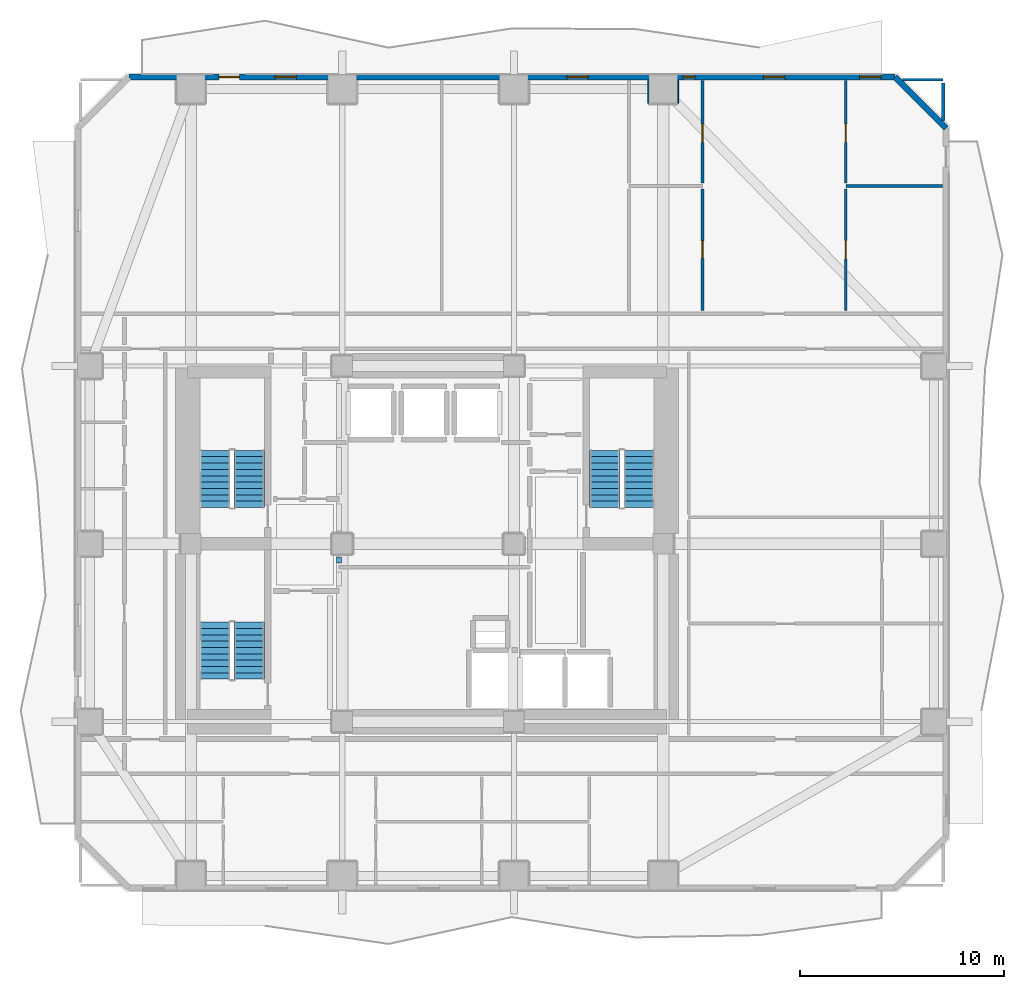
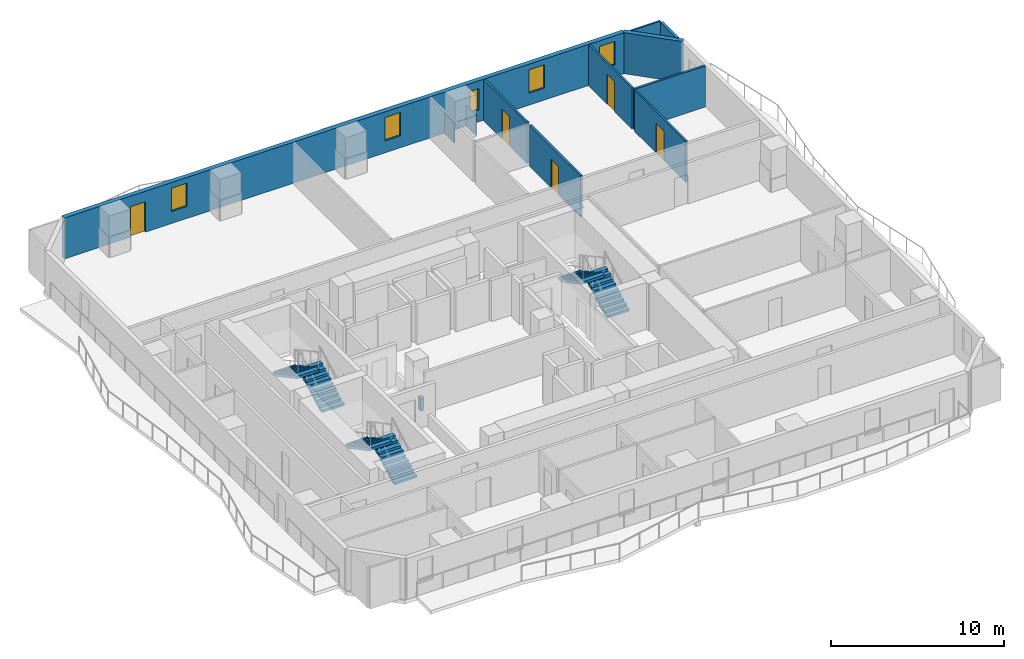
# One storey, part 6 of 10: 12 walls, 6 stair flights, 5 doors, 5 windows, 10 openings, 3 elements without a shape of their own.
"""IFC4 building model written with IfcOpenShell, lengths in metres."""

from ifc_helpers import new_model, si_unit, direction, frame, frame_2d, origin, place, context, subcontext, project, spatial, polyline, rectangle, outline, extrude, material, layer, layer_set, type_object, element, fill, aggregate, save


model = new_model("IFC4")

# Units and contexts
model_context = context("Model", 3, precision=1e-05, world=origin(), true_north=direction((0.0, 1.0)))
body_context = subcontext(model_context, "Body", "Model", "MODEL_VIEW")
ifc_project = project(units=[si_unit("LENGTHUNIT", "METRE"), si_unit("AREAUNIT", "SQUARE_METRE"), si_unit("VOLUMEUNIT", "CUBIC_METRE"), si_unit("PLANEANGLEUNIT", "RADIAN"), si_unit("MASSUNIT", "GRAM", prefix="KILO")], contexts=[model_context])

# Site, building, storey
site_placement = place(None, origin())
site = spatial("IfcSite", under=ifc_project, at=site_placement, CompositionType="ELEMENT")
building_placement = place(site_placement, origin())
building = spatial("IfcBuilding", under=site, at=building_placement, Name="Solanera Arch Residences", CompositionType="ELEMENT")
storey_placement = place(building_placement, frame((0.0, 0.0, 78.43994140625)))
storey = spatial("IfcBuildingStorey", under=building, at=storey_placement, Name="L22", CompositionType="ELEMENT", Elevation=78.43994140625)

# Walls
ifc_material_1 = material(Name="Fire-Rated Gypsum Stud Partition", Category="gypsum")
ifc_layer_1 = layer(ifc_material_1, 0.06005859375)
ifc_layer_set_1 = layer_set([ifc_layer_1], Name="Fire-Rated Gypsum Stud Partition")
wall_type_1 = type_object("IfcWallType", Name="Column Acoustic Furring Wall 60", PredefinedType="PARTITIONING", material=ifc_layer_set_1)
for number, where, z_axis, x_axis, name in (
    (1, (35.76806640625, 52.25, 0.0), (0.0, 0.0, 1.0), (0.0, 1.0, 0.0), "L22 Column Furring 16W"),
    (2, (37.23193359375, 52.25, 0.0), (0.0, 0.0, 1.0), (0.0, 1.0, 0.0), "L22 Column Furring 16E"),
):
    element("IfcWall", number, at=place(storey_placement, frame(where, z_axis=z_axis, x_axis=x_axis)), inside=storey, type_object=wall_type_1, Name=name, PredefinedType="PARTITIONING", context=body_context, shape_type="SweptSolid", body=[
        extrude(rectangle(XDim=1.1201171875, YDim=0.06005859375, at=frame_2d((0.56005859375, 0.0))), origin(), (0.0, 0.0, 1.0), 1.449951171875),
    ])
ifc_material_2 = material(Name="Autoclaved Aerated Concrete Blockwork", Category="masonry")
ifc_layer_2 = layer(ifc_material_2, 0.179931640625)
ifc_layer_set_2 = layer_set([ifc_layer_2], Name="Autoclaved Aerated Concrete Blockwork")
wall_type_2 = type_object("IfcWallType", Name="Corridor Fire Partition 180", PredefinedType="PARTITIONING", material=ifc_layer_set_2)
wall_1_placement = place(storey_placement, frame((50.199951171875, 51.39892578125, 0.0), z_axis=(0.0, 0.0, 1.0), x_axis=(0.0, 1.0, 0.0)))
element("IfcWall", 3, at=wall_1_placement, inside=storey, type_object=wall_type_2, Name="L22 Interior Partition V9 2", PredefinedType="PARTITIONING", context=body_context, shape_type="SweptSolid", body=[
    extrude(rectangle(XDim=1.843017578125, YDim=0.179931640625, at=frame_2d((0.92138671875, 0.0))), origin(), (0.0, 0.0, 1.0), 2.900146484375),
])

# Wall, openings, door, windows
ifc_material_3 = material(Name="Precast Concrete C35/45", Category="concrete")
ifc_layer_3 = layer(ifc_material_3, 0.300048828125)
ifc_layer_set_3 = layer_set([ifc_layer_3], Name="Precast Concrete C35/45")
wall_type_3 = type_object("IfcWallType", Name="Exterior Wall Precast Masonry-Frame 300", PredefinedType="STANDARD", material=ifc_layer_set_3)
wall_2_placement = place(storey_placement, frame((10.364990234375, 53.534912109375, 0.0), z_axis=(0.0, 0.0, 1.0), x_axis=(1.0, 0.0, 0.0)))
wall_2 = element("IfcWall", 4, at=wall_2_placement, inside=storey, type_object=wall_type_3, Name="L22 Tower Exterior Precast Masonry-Frame Wall N", PredefinedType="STANDARD", context=body_context, shape_type="SweptSolid", body=[
    extrude(rectangle(XDim=37.469970703125, YDim=0.300048828125, at=frame_2d((18.73486328125, 0.0))), origin(), (0.0, 0.0, 1.0), 2.900146484375),
])
opening_1_placement = place(wall_2_placement, frame((4.403076171875, 0.0, 0.0)))
opening_1 = element("IfcOpeningElement", 5, at=opening_1_placement, cuts=wall_2, Name="Opening DB-01", PredefinedType="OPENING", context=body_context, shape_type="SweptSolid", body=[
    extrude(rectangle(XDim=1.0, YDim=2.14990234375, at=frame_2d((0.5, 1.074951171875))), frame((0.0, 0.159912109375, 0.0), z_axis=(0.0, -1.0, 0.0), x_axis=(1.0, 0.0, 0.0)), (0.0, 0.0, 1.0), 0.32),
])
opening_2_placement = place(wall_2_placement, frame((7.14404296875, 0.0, 0.85009765625)))
opening_2 = element("IfcOpeningElement", 6, at=opening_2_placement, cuts=wall_2, Name="Opening W-07", PredefinedType="OPENING", context=body_context, shape_type="SweptSolid", body=[
    extrude(rectangle(XDim=1.050048828125, YDim=1.64990234375, at=frame_2d((0.52490234375, 0.824951171875))), frame((0.0, 0.159912109375, 0.0), z_axis=(0.0, -1.0, 0.0), x_axis=(1.0, 0.0, 0.0)), (0.0, 0.0, 1.0), 0.32),
])
opening_3_placement = place(wall_2_placement, frame((21.419921875, 0.0, 0.85009765625)))
opening_3 = element("IfcOpeningElement", 7, at=opening_3_placement, cuts=wall_2, Name="Opening W-07", PredefinedType="OPENING", context=body_context, shape_type="SweptSolid", body=[
    extrude(rectangle(XDim=1.050048828125, YDim=1.64990234375, at=frame_2d((0.52490234375, 0.824951171875))), frame((0.0, 0.159912109375, 0.0), z_axis=(0.0, -1.0, 0.0), x_axis=(1.0, 0.0, 0.0)), (0.0, 0.0, 1.0), 0.32),
])
opening_4_placement = place(wall_2_placement, frame((31.0380859375, 0.0, 0.85009765625)))
opening_4 = element("IfcOpeningElement", 8, at=opening_4_placement, cuts=wall_2, Name="Opening W-07", PredefinedType="OPENING", context=body_context, shape_type="SweptSolid", body=[
    extrude(rectangle(XDim=1.050048828125, YDim=1.64990234375, at=frame_2d((0.52490234375, 0.824951171875))), frame((0.0, 0.159912109375, 0.0), z_axis=(0.0, -1.0, 0.0), x_axis=(1.0, 0.0, 0.0)), (0.0, 0.0, 1.0), 0.32),
])
opening_5_placement = place(wall_2_placement, frame((27.10693359375, 0.0, 0.85009765625)))
opening_5 = element("IfcOpeningElement", 9, at=opening_5_placement, cuts=wall_2, Name="Opening W-14", PredefinedType="OPENING", context=body_context, shape_type="SweptSolid", body=[
    extrude(rectangle(XDim=0.580078125, YDim=1.5, at=frame_2d((0.2900390625, 0.75))), frame((0.0, 0.159912109375, 0.0), z_axis=(0.0, -1.0, 0.0), x_axis=(1.0, 0.0, 0.0)), (0.0, 0.0, 1.0), 0.32),
])
opening_6_placement = place(wall_2_placement, frame((35.748046875, 0.0, 0.85009765625)))
opening_6 = element("IfcOpeningElement", 10, at=opening_6_placement, cuts=wall_2, Name="Opening W-07", PredefinedType="OPENING", context=body_context, shape_type="SweptSolid", body=[
    extrude(rectangle(XDim=1.050048828125, YDim=1.64990234375, at=frame_2d((0.52490234375, 0.824951171875))), frame((0.0, 0.159912109375, 0.0), z_axis=(0.0, -1.0, 0.0), x_axis=(1.0, 0.0, 0.0)), (0.0, 0.0, 1.0), 0.32),
])
ifc_material_4 = material(Name="Anodised Aluminium Alloy 6063-T6", Category="aluminium")
door_type_1 = type_object("IfcDoorType", Name="Glazed Balcony Swing Door DB-01", OperationType="NOTDEFINED", PredefinedType="DOOR", material=ifc_material_4)
door_1_placement = place(opening_1_placement, origin())
door_1 = element("IfcDoor", 11, at=door_1_placement, inside=storey, type_object=door_type_1, Name="DR-L22-OUT-02", OperationType="SINGLE_SWING_LEFT", OverallHeight=2.14990234375, OverallWidth=1.0, PredefinedType="DOOR", context=body_context, shape_type="SweptSolid", body=[
    extrude(rectangle(XDim=1.0, YDim=2.14990234375, at=frame_2d((0.5, 1.074951171875))), frame((0.0, 0.02490234375, 0.0), z_axis=(0.0, -1.0, 0.0), x_axis=(1.0, 0.0, 0.0)), (0.0, 0.0, 1.0), 0.050048828125),
])
fill(opening_1, door_1)
ifc_material_5 = material(Name="Double Glazed Low-E Laminated Glass", Category="glass")
window_type_1 = type_object("IfcWindowType", Name="Punched Window W-07", PartitioningType="SINGLE_PANEL", PredefinedType="WINDOW", material=ifc_material_5)
window_1_placement = place(opening_2_placement, origin())
window_1 = element("IfcWindow", 12, at=window_1_placement, inside=storey, type_object=window_type_1, Name="L22 AMN-MTG1 Punched Window", OverallHeight=1.64990234375, OverallWidth=1.050048828125, PartitioningType="SINGLE_PANEL", PredefinedType="WINDOW", context=body_context, shape_type="SweptSolid", body=[
    extrude(rectangle(XDim=1.050048828125, YDim=1.64990234375, at=frame_2d((0.52490234375, 0.824951171875))), frame((0.0, 0.030029296875, 0.0), z_axis=(0.0, -1.0, 0.0), x_axis=(1.0, 0.0, 0.0)), (0.0, 0.0, 1.0), 0.06005859375),
])
fill(opening_2, window_1)
window_2_placement = place(opening_3_placement, origin())
window_2 = element("IfcWindow", 13, at=window_2_placement, inside=storey, type_object=window_type_1, Name="L22 AMN-MTG2 Punched Window", OverallHeight=1.64990234375, OverallWidth=1.050048828125, PartitioningType="SINGLE_PANEL", PredefinedType="WINDOW", context=body_context, shape_type="SweptSolid", body=[
    extrude(rectangle(XDim=1.050048828125, YDim=1.64990234375, at=frame_2d((0.52490234375, 0.824951171875))), frame((0.0, 0.030029296875, 0.0), z_axis=(0.0, -1.0, 0.0), x_axis=(1.0, 0.0, 0.0)), (0.0, 0.0, 1.0), 0.06005859375),
])
fill(opening_3, window_2)
window_3_placement = place(opening_4_placement, origin())
window_3 = element("IfcWindow", 14, at=window_3_placement, inside=storey, type_object=window_type_1, Name="L22 2202-LIV Punched Window", OverallHeight=1.64990234375, OverallWidth=1.050048828125, PartitioningType="SINGLE_PANEL", PredefinedType="WINDOW", context=body_context, shape_type="SweptSolid", body=[
    extrude(rectangle(XDim=1.050048828125, YDim=1.64990234375, at=frame_2d((0.52490234375, 0.824951171875))), frame((0.0, 0.030029296875, 0.0), z_axis=(0.0, -1.0, 0.0), x_axis=(1.0, 0.0, 0.0)), (0.0, 0.0, 1.0), 0.06005859375),
])
fill(opening_4, window_3)
window_4_placement = place(opening_6_placement, origin())
window_4 = element("IfcWindow", 15, at=window_4_placement, inside=storey, type_object=window_type_1, Name="L22 2202-BR2 Punched Window", OverallHeight=1.64990234375, OverallWidth=1.050048828125, PartitioningType="SINGLE_PANEL", PredefinedType="WINDOW", context=body_context, shape_type="SweptSolid", body=[
    extrude(rectangle(XDim=1.050048828125, YDim=1.64990234375, at=frame_2d((0.52490234375, 0.824951171875))), frame((0.0, 0.030029296875, 0.0), z_axis=(0.0, -1.0, 0.0), x_axis=(1.0, 0.0, 0.0)), (0.0, 0.0, 1.0), 0.06005859375),
])
fill(opening_6, window_4)
ifc_material_6 = material(Name="Double Glazed Low-E Laminated Glass", Category="glass")
window_type_2 = type_object("IfcWindowType", Name="Punched Window W-14", PartitioningType="SINGLE_PANEL", PredefinedType="WINDOW", material=ifc_material_6)
window_5_placement = place(opening_5_placement, origin())
window_5 = element("IfcWindow", 16, at=window_5_placement, inside=storey, type_object=window_type_2, Name="L22 2202-BR1 Punched Window", OverallHeight=1.5, OverallWidth=0.580078125, PartitioningType="SINGLE_PANEL", PredefinedType="WINDOW", context=body_context, shape_type="SweptSolid", body=[
    extrude(rectangle(XDim=0.580078125, YDim=1.5, at=frame_2d((0.2900390625, 0.75))), frame((0.0, 0.030029296875, 0.0), z_axis=(0.0, -1.0, 0.0), x_axis=(1.0, 0.0, 0.0)), (0.0, 0.0, 1.0), 0.06005859375),
])
fill(opening_5, window_5)

# Walls
wall_3_placement = place(storey_placement, frame((47.8349609375, 53.534912109375, 0.0), z_axis=(0.0, 0.0, 1.0), x_axis=(0.707106781187, -0.707106781187, 0.0)))
element("IfcWall", 17, at=wall_3_placement, inside=storey, type_object=wall_type_3, Name="L22 Tower Exterior Precast Masonry-Frame Wall CH3", PredefinedType="STANDARD", context=body_context, shape_type="SweptSolid", body=[
    extrude(rectangle(XDim=3.53564453125, YDim=0.300048828125, at=frame_2d((1.767822265625, 0.0))), origin(), (0.0, 0.0, 1.0), 2.900146484375),
])
ifc_material_7 = material(Name="Autoclaved Aerated Concrete Blockwork", Category="masonry")
ifc_layer_4 = layer(ifc_material_7, 0.239990234375)
ifc_layer_set_4 = layer_set([ifc_layer_4], Name="Autoclaved Aerated Concrete Blockwork")
wall_type_4 = type_object("IfcWallType", Name="Shaft Wall Fire-Rated 240", PredefinedType="PARTITIONING", material=ifc_layer_set_4)
wall_4_placement = place(storey_placement, frame((20.64990234375, 29.76806640625, 0.0), z_axis=(0.0, 0.0, 1.0), x_axis=(0.0, 1.0, 0.0)))
element("IfcWall", 18, at=wall_4_placement, inside=storey, type_object=wall_type_4, Name="L22 Interior Partition V3 2", PredefinedType="PARTITIONING", context=body_context, shape_type="SweptSolid", body=[
    extrude(rectangle(XDim=0.300048828125, YDim=0.239990234375, at=frame_2d((0.14990234375, 0.0))), origin(), (0.0, 0.0, 1.0), 0.905029296875),
])
ifc_material_8 = material(Name="Fire-Rated Gypsum Stud Partition", Category="gypsum")
ifc_layer_5 = layer(ifc_material_8, 0.1201171875)
ifc_layer_set_5 = layer_set([ifc_layer_5], Name="Fire-Rated Gypsum Stud Partition")
wall_type_5 = type_object("IfcWallType", Name="Unit Drywall Partition 120", PredefinedType="PARTITIONING", material=ifc_layer_set_5)
wall_5_placement = place(storey_placement, frame((48.198974609375, 53.39990234375, 0.0), z_axis=(0.0, 0.0, 1.0), x_axis=(1.0, 0.0, 0.0)))
element("IfcWall", 19, at=wall_5_placement, inside=storey, type_object=wall_type_5, Name="L22 Interior Partition H23 2", PredefinedType="PARTITIONING", context=body_context, shape_type="SweptSolid", body=[
    extrude(rectangle(XDim=2.0009765625, YDim=0.1201171875, at=frame_2d((1.00048828125, 0.0))), origin(), (0.0, 0.0, 1.0), 2.900146484375),
])

# Wall, opening, door
wall_6_placement = place(storey_placement, frame((45.431884765625, 42.10791015625, 0.0), z_axis=(0.0, 0.0, 1.0), x_axis=(0.0, 1.0, 0.0)))
wall_6 = element("IfcWall", 20, at=wall_6_placement, inside=storey, type_object=wall_type_5, Name="L22 Interior Partition V22 1", PredefinedType="PARTITIONING", context=body_context, shape_type="SweptSolid", body=[
    extrude(rectangle(XDim=5.9541015625, YDim=0.1201171875, at=frame_2d((2.97705078125, 0.0))), origin(), (0.0, 0.0, 1.0), 2.900146484375),
])
opening_7_placement = place(wall_6_placement, frame((2.530029296875, 0.0, 0.0)))
opening_7 = element("IfcOpeningElement", 21, at=opening_7_placement, cuts=wall_6, Name="Opening DI-02", PredefinedType="OPENING", context=body_context, shape_type="SweptSolid", body=[
    extrude(rectangle(XDim=0.89990234375, YDim=2.10009765625, at=frame_2d((0.449951171875, 1.050048828125))), frame((0.0, 0.070068359375, 0.0), z_axis=(0.0, -1.0, 0.0), x_axis=(1.0, 0.0, 0.0)), (0.0, 0.0, 1.0), 0.1401),
])
ifc_material_9 = material(Name="Fire-Rated Architectural Hardwood", Category="wood")
door_type_2 = type_object("IfcDoorType", Name="Suite Room Swing Door DI-02", OperationType="NOTDEFINED", PredefinedType="DOOR", material=ifc_material_9)
door_2_placement = place(opening_7_placement, origin())
door_2 = element("IfcDoor", 22, at=door_2_placement, inside=storey, type_object=door_type_2, Name="DR-L22-IN-028", OperationType="SINGLE_SWING_RIGHT", OverallHeight=2.10009765625, OverallWidth=0.89990234375, PredefinedType="DOOR", context=body_context, shape_type="SweptSolid", body=[
    extrude(rectangle(XDim=0.89990234375, YDim=2.10009765625, at=frame_2d((0.449951171875, 1.050048828125))), frame((0.0, 0.02490234375, 0.0), z_axis=(0.0, -1.0, 0.0), x_axis=(1.0, 0.0, 0.0)), (0.0, 0.0, 1.0), 0.050048828125),
])
fill(opening_7, door_2)

wall_7_placement = place(storey_placement, frame((45.431884765625, 48.337890625, 0.0), z_axis=(0.0, 0.0, 1.0), x_axis=(0.0, 1.0, 0.0)))
wall_7 = element("IfcWall", 23, at=wall_7_placement, inside=storey, type_object=wall_type_5, Name="L22 Interior Partition V22 2", PredefinedType="PARTITIONING", context=body_context, shape_type="SweptSolid", body=[
    extrude(rectangle(XDim=5.03515625, YDim=0.1201171875, at=frame_2d((2.517578125, 0.0))), origin(), (0.0, 0.0, 1.0), 2.900146484375),
])
opening_8_placement = place(wall_7_placement, frame((1.9990234375, 0.0, 0.0)))
opening_8 = element("IfcOpeningElement", 24, at=opening_8_placement, cuts=wall_7, Name="Opening DI-03", PredefinedType="OPENING", context=body_context, shape_type="SweptSolid", body=[
    extrude(rectangle(XDim=0.89990234375, YDim=2.10009765625, at=frame_2d((0.449951171875, 1.050048828125))), frame((0.0, 0.070068359375, 0.0), z_axis=(0.0, -1.0, 0.0), x_axis=(1.0, 0.0, 0.0)), (0.0, 0.0, 1.0), 0.1401),
])
ifc_material_10 = material(Name="Fire-Rated Architectural Hardwood", Category="wood")
door_type_3 = type_object("IfcDoorType", Name="Bedroom Swing Door DI-03", OperationType="NOTDEFINED", PredefinedType="DOOR", material=ifc_material_10)
door_3_placement = place(opening_8_placement, origin())
door_3 = element("IfcDoor", 25, at=door_3_placement, inside=storey, type_object=door_type_3, Name="DR-L22-IN-029", OperationType="SINGLE_SWING_LEFT", OverallHeight=2.10009765625, OverallWidth=0.89990234375, PredefinedType="DOOR", context=body_context, shape_type="SweptSolid", body=[
    extrude(rectangle(XDim=0.89990234375, YDim=2.10009765625, at=frame_2d((0.449951171875, 1.050048828125))), frame((0.0, 0.02490234375, 0.0), z_axis=(0.0, -1.0, 0.0), x_axis=(1.0, 0.0, 0.0)), (0.0, 0.0, 1.0), 0.050048828125),
])
fill(opening_8, door_3)

# Wall
ifc_material_11 = material(Name="Autoclaved Aerated Concrete Blockwork", Category="masonry")
ifc_layer_6 = layer(ifc_material_11, 0.139892578125)
ifc_layer_set_6 = layer_set([ifc_layer_6], Name="Autoclaved Aerated Concrete Blockwork")
wall_type_6 = type_object("IfcWallType", Name="Wet-Room Partition 140", PredefinedType="PARTITIONING", material=ifc_layer_set_6)
wall_8_placement = place(storey_placement, frame((45.431884765625, 48.199951171875, 0.0), z_axis=(0.0, 0.0, 1.0), x_axis=(1.0, 0.0, 0.0)))
element("IfcWall", 26, at=wall_8_placement, inside=storey, type_object=wall_type_6, Name="L22 Interior Partition H20", PredefinedType="PARTITIONING", context=body_context, shape_type="SweptSolid", body=[
    extrude(rectangle(XDim=4.7412109375, YDim=0.139892578125, at=frame_2d((2.37060546875, 0.0))), origin(), (0.0, 0.0, 1.0), 2.900146484375),
])

# Wall, opening, door
wall_9_placement = place(storey_placement, frame((38.424072265625, 42.117919921875, 0.0), z_axis=(0.0, 0.0, 1.0), x_axis=(0.0, 1.0, 0.0)))
wall_9 = element("IfcWall", 27, at=wall_9_placement, inside=storey, type_object=wall_type_6, Name="L22 Interior Partition V15 1", PredefinedType="PARTITIONING", context=body_context, shape_type="SweptSolid", body=[
    extrude(rectangle(XDim=5.93408203125, YDim=0.139892578125, at=frame_2d((2.967041015625, 0.0))), origin(), (0.0, 0.0, 1.0), 2.900146484375),
])
opening_9_placement = place(wall_9_placement, frame((2.5400390625, 0.0, 0.0)))
opening_9 = element("IfcOpeningElement", 28, at=opening_9_placement, cuts=wall_9, Name="Opening DI-05", PredefinedType="OPENING", context=body_context, shape_type="SweptSolid", body=[
    extrude(rectangle(XDim=0.860107421875, YDim=2.02001953125, at=frame_2d((0.43017578125, 1.010009765625))), frame((0.0, 0.079833984375, 0.0), z_axis=(0.0, -1.0, 0.0), x_axis=(1.0, 0.0, 0.0)), (0.0, 0.0, 1.0), 0.1599),
])
ifc_material_12 = material(Name="Fire-Rated Architectural Hardwood", Category="wood")
door_type_4 = type_object("IfcDoorType", Name="Bathroom Swing Door DI-05", OperationType="NOTDEFINED", PredefinedType="DOOR", material=ifc_material_12)
door_4_placement = place(opening_9_placement, origin())
door_4 = element("IfcDoor", 29, at=door_4_placement, inside=storey, type_object=door_type_4, Name="DR-L22-IN-026", OperationType="SINGLE_SWING_RIGHT", OverallHeight=2.02001953125, OverallWidth=0.860107421875, PredefinedType="DOOR", context=body_context, shape_type="SweptSolid", body=[
    extrude(rectangle(XDim=0.860107421875, YDim=2.02001953125, at=frame_2d((0.43017578125, 1.010009765625))), frame((0.0, 0.02490234375, 0.0), z_axis=(0.0, -1.0, 0.0), x_axis=(1.0, 0.0, 0.0)), (0.0, 0.0, 1.0), 0.050048828125),
])
fill(opening_9, door_4)

wall_10_placement = place(storey_placement, frame((38.424072265625, 48.347900390625, 0.0), z_axis=(0.0, 0.0, 1.0), x_axis=(0.0, 1.0, 0.0)))
wall_10 = element("IfcWall", 30, at=wall_10_placement, inside=storey, type_object=wall_type_6, Name="L22 Interior Partition V15 2", PredefinedType="PARTITIONING", context=body_context, shape_type="SweptSolid", body=[
    extrude(rectangle(XDim=5.025146484375, YDim=0.139892578125, at=frame_2d((2.5126953125, 0.0))), origin(), (0.0, 0.0, 1.0), 2.900146484375),
])
opening_10_placement = place(wall_10_placement, frame((1.989013671875, 0.0, 0.0)))
opening_10 = element("IfcOpeningElement", 31, at=opening_10_placement, cuts=wall_10, Name="Opening DI-03", PredefinedType="OPENING", context=body_context, shape_type="SweptSolid", body=[
    extrude(rectangle(XDim=0.89990234375, YDim=2.10009765625, at=frame_2d((0.449951171875, 1.050048828125))), frame((0.0, 0.079833984375, 0.0), z_axis=(0.0, -1.0, 0.0), x_axis=(1.0, 0.0, 0.0)), (0.0, 0.0, 1.0), 0.1599),
])
door_5_placement = place(opening_10_placement, origin())
door_5 = element("IfcDoor", 32, at=door_5_placement, inside=storey, type_object=door_type_3, Name="DR-L22-IN-027", OperationType="SINGLE_SWING_LEFT", OverallHeight=2.10009765625, OverallWidth=0.89990234375, PredefinedType="DOOR", context=body_context, shape_type="SweptSolid", body=[
    extrude(rectangle(XDim=0.89990234375, YDim=2.10009765625, at=frame_2d((0.449951171875, 1.050048828125))), frame((0.0, 0.02490234375, 0.0), z_axis=(0.0, -1.0, 0.0), x_axis=(1.0, 0.0, 0.0)), (0.0, 0.0, 1.0), 0.050048828125),
])
fill(opening_10, door_5)

# Stair, stair flights
ifc_material_13 = material(Name="Concrete C40/50 (f'c = 45 MPa)", Category="concrete")
stair_type = type_object("IfcStairType", Name="Tower Dogleg Exit Stair 1480", PredefinedType="HALF_TURN_STAIR", material=ifc_material_13)
stair_1_placement = place(storey_placement, origin())
stair_1 = element("IfcStair", 33, at=stair_1_placement, inside=storey, type_object=stair_type, Name="L22 Tower Core Exit Stair 1", PredefinedType="HALF_TURN_STAIR")
ifc_material_14 = material(Name="Concrete C40/50 (f'c = 45 MPa)", Category="concrete")
stair_flight_type = type_object("IfcStairFlightType", Name="Tower Precast Stair Flight 1480", PredefinedType="STRAIGHT", material=ifc_material_14)
stair_flight_1_placement = place(storey_placement, frame((16.260009765625, 32.47998046875, 0.0), z_axis=(0.0, 0.0, 1.0), x_axis=(0.0, 1.0, 0.0)))
stair_flight_1 = element("IfcStairFlight", 34, at=stair_flight_1_placement, type_object=stair_flight_type, Name="ST-T1 flight 1", NumberOfRisers=10, NumberOfTreads=9, PredefinedType="STRAIGHT", RiserHeight=0.166, TreadLength=0.31, context=body_context, shape_type="SweptSolid", body=[
    extrude(outline(polyline([(0.0, 0.0), (0.0, 0.166015625), (0.31005859375, 0.166015625), (0.31005859375, 0.33203125), (0.6201171875, 0.33203125), (0.6201171875, 0.498046875), (0.929931640625, 0.498046875), (0.929931640625, 0.6640625), (1.239990234375, 0.6640625), (1.239990234375, 0.830078125), (1.550048828125, 0.830078125), (1.550048828125, 0.99609375), (1.860107421875, 0.99609375), (1.860107421875, 1.162109375), (2.169921875, 1.162109375), (2.169921875, 1.327880859375), (2.47998046875, 1.327880859375), (2.47998046875, 1.493896484375), (2.7900390625, 1.493896484375), (2.7900390625, 1.659912109375), (2.7900390625, 1.323974609375), (0.317626953125, 0.0), (0.0, 0.0)])), frame((0.0, 0.739990234375, 0.0), z_axis=(0.0, -1.0, 0.0), x_axis=(1.0, 0.0, 0.0)), (0.0, 0.0, 1.0), 1.47998046875),
])
stair_flight_2_placement = place(storey_placement, frame((14.580078125, 35.27001953125, 1.66015625), z_axis=(0.0, 0.0, 1.0), x_axis=(0.0, -1.0, 0.0)))
stair_flight_2 = element("IfcStairFlight", 35, at=stair_flight_2_placement, type_object=stair_flight_type, Name="ST-T1 flight 2", NumberOfRisers=10, NumberOfTreads=9, PredefinedType="STRAIGHT", RiserHeight=0.166, TreadLength=0.31, context=body_context, shape_type="SweptSolid", body=[
    extrude(outline(polyline([(0.0, 0.0), (0.0, 0.166015625), (0.31005859375, 0.166015625), (0.31005859375, 0.33203125), (0.6201171875, 0.33203125), (0.6201171875, 0.498046875), (0.929931640625, 0.498046875), (0.929931640625, 0.6640625), (1.239990234375, 0.6640625), (1.239990234375, 0.830078125), (1.550048828125, 0.830078125), (1.550048828125, 0.99609375), (1.860107421875, 0.99609375), (1.860107421875, 1.162109375), (2.169921875, 1.162109375), (2.169921875, 1.327880859375), (2.47998046875, 1.327880859375), (2.47998046875, 1.493896484375), (2.7900390625, 1.493896484375), (2.7900390625, 1.659912109375), (2.7900390625, 1.323974609375), (0.317626953125, 0.0), (0.0, 0.0)])), frame((0.0, 0.739990234375, 0.0), z_axis=(0.0, -1.0, 0.0), x_axis=(1.0, 0.0, 0.0)), (0.0, 0.0, 1.0), 1.47998046875),
])
aggregate(stair_1, [stair_flight_1, stair_flight_2])

stair_2_placement = place(storey_placement, origin())
stair_2 = element("IfcStair", 36, at=stair_2_placement, inside=storey, type_object=stair_type, Name="L22 Tower Core Exit Stair 2", PredefinedType="HALF_TURN_STAIR")
stair_flight_3_placement = place(storey_placement, frame((35.320068359375, 32.47998046875, 0.0), z_axis=(0.0, 0.0, 1.0), x_axis=(0.0, 1.0, 0.0)))
stair_flight_3 = element("IfcStairFlight", 37, at=stair_flight_3_placement, type_object=stair_flight_type, Name="ST-T2 flight 1", NumberOfRisers=10, NumberOfTreads=9, PredefinedType="STRAIGHT", RiserHeight=0.166, TreadLength=0.31, context=body_context, shape_type="SweptSolid", body=[
    extrude(outline(polyline([(0.0, 0.0), (0.0, 0.166015625), (0.31005859375, 0.166015625), (0.31005859375, 0.33203125), (0.6201171875, 0.33203125), (0.6201171875, 0.498046875), (0.929931640625, 0.498046875), (0.929931640625, 0.6640625), (1.239990234375, 0.6640625), (1.239990234375, 0.830078125), (1.550048828125, 0.830078125), (1.550048828125, 0.99609375), (1.860107421875, 0.99609375), (1.860107421875, 1.162109375), (2.169921875, 1.162109375), (2.169921875, 1.327880859375), (2.47998046875, 1.327880859375), (2.47998046875, 1.493896484375), (2.7900390625, 1.493896484375), (2.7900390625, 1.659912109375), (2.7900390625, 1.323974609375), (0.317626953125, 0.0), (0.0, 0.0)])), frame((0.0, 0.739990234375, 0.0), z_axis=(0.0, -1.0, 0.0), x_axis=(1.0, 0.0, 0.0)), (0.0, 0.0, 1.0), 1.47998046875),
])
stair_flight_4_placement = place(storey_placement, frame((33.639892578125, 35.27001953125, 1.66015625), z_axis=(0.0, 0.0, 1.0), x_axis=(0.0, -1.0, 0.0)))
stair_flight_4 = element("IfcStairFlight", 38, at=stair_flight_4_placement, type_object=stair_flight_type, Name="ST-T2 flight 2", NumberOfRisers=10, NumberOfTreads=9, PredefinedType="STRAIGHT", RiserHeight=0.166, TreadLength=0.31, context=body_context, shape_type="SweptSolid", body=[
    extrude(outline(polyline([(0.0, 0.0), (0.0, 0.166015625), (0.31005859375, 0.166015625), (0.31005859375, 0.33203125), (0.6201171875, 0.33203125), (0.6201171875, 0.498046875), (0.929931640625, 0.498046875), (0.929931640625, 0.6640625), (1.239990234375, 0.6640625), (1.239990234375, 0.830078125), (1.550048828125, 0.830078125), (1.550048828125, 0.99609375), (1.860107421875, 0.99609375), (1.860107421875, 1.162109375), (2.169921875, 1.162109375), (2.169921875, 1.327880859375), (2.47998046875, 1.327880859375), (2.47998046875, 1.493896484375), (2.7900390625, 1.493896484375), (2.7900390625, 1.659912109375), (2.7900390625, 1.323974609375), (0.317626953125, 0.0), (0.0, 0.0)])), frame((0.0, 0.739990234375, 0.0), z_axis=(0.0, -1.0, 0.0), x_axis=(1.0, 0.0, 0.0)), (0.0, 0.0, 1.0), 1.47998046875),
])
aggregate(stair_2, [stair_flight_3, stair_flight_4])

stair_3_placement = place(storey_placement, origin())
stair_3 = element("IfcStair", 39, at=stair_3_placement, inside=storey, type_object=stair_type, Name="L22 Tower Core Exit Stair 3", PredefinedType="HALF_TURN_STAIR")
stair_flight_5_placement = place(storey_placement, frame((16.260009765625, 24.080078125, 0.0), z_axis=(0.0, 0.0, 1.0), x_axis=(0.0, 1.0, 0.0)))
stair_flight_5 = element("IfcStairFlight", 40, at=stair_flight_5_placement, type_object=stair_flight_type, Name="ST-T3 flight 1", NumberOfRisers=10, NumberOfTreads=9, PredefinedType="STRAIGHT", RiserHeight=0.166, TreadLength=0.31, context=body_context, shape_type="SweptSolid", body=[
    extrude(outline(polyline([(0.0, 0.0), (0.0, 0.166015625), (0.31005859375, 0.166015625), (0.31005859375, 0.33203125), (0.6201171875, 0.33203125), (0.6201171875, 0.498046875), (0.929931640625, 0.498046875), (0.929931640625, 0.6640625), (1.239990234375, 0.6640625), (1.239990234375, 0.830078125), (1.550048828125, 0.830078125), (1.550048828125, 0.99609375), (1.860107421875, 0.99609375), (1.860107421875, 1.162109375), (2.169921875, 1.162109375), (2.169921875, 1.327880859375), (2.47998046875, 1.327880859375), (2.47998046875, 1.493896484375), (2.7900390625, 1.493896484375), (2.7900390625, 1.659912109375), (2.7900390625, 1.323974609375), (0.317626953125, 0.0), (0.0, 0.0)])), frame((0.0, 0.739990234375, 0.0), z_axis=(0.0, -1.0, 0.0), x_axis=(1.0, 0.0, 0.0)), (0.0, 0.0, 1.0), 1.47998046875),
])
stair_flight_6_placement = place(storey_placement, frame((14.580078125, 26.8701171875, 1.66015625), z_axis=(0.0, 0.0, 1.0), x_axis=(0.0, -1.0, 0.0)))
stair_flight_6 = element("IfcStairFlight", 41, at=stair_flight_6_placement, type_object=stair_flight_type, Name="ST-T3 flight 2", NumberOfRisers=10, NumberOfTreads=9, PredefinedType="STRAIGHT", RiserHeight=0.166, TreadLength=0.31, context=body_context, shape_type="SweptSolid", body=[
    extrude(outline(polyline([(0.0, 0.0), (0.0, 0.166015625), (0.31005859375, 0.166015625), (0.31005859375, 0.33203125), (0.6201171875, 0.33203125), (0.6201171875, 0.498046875), (0.929931640625, 0.498046875), (0.929931640625, 0.6640625), (1.239990234375, 0.6640625), (1.239990234375, 0.830078125), (1.550048828125, 0.830078125), (1.550048828125, 0.99609375), (1.860107421875, 0.99609375), (1.860107421875, 1.162109375), (2.169921875, 1.162109375), (2.169921875, 1.327880859375), (2.47998046875, 1.327880859375), (2.47998046875, 1.493896484375), (2.7900390625, 1.493896484375), (2.7900390625, 1.659912109375), (2.7900390625, 1.323974609375), (0.317626953125, 0.0), (0.0, 0.0)])), frame((0.0, 0.739990234375, 0.0), z_axis=(0.0, -1.0, 0.0), x_axis=(1.0, 0.0, 0.0)), (0.0, 0.0, 1.0), 1.47998046875),
])
aggregate(stair_3, [stair_flight_5, stair_flight_6])

save(model, "model.ifc")
